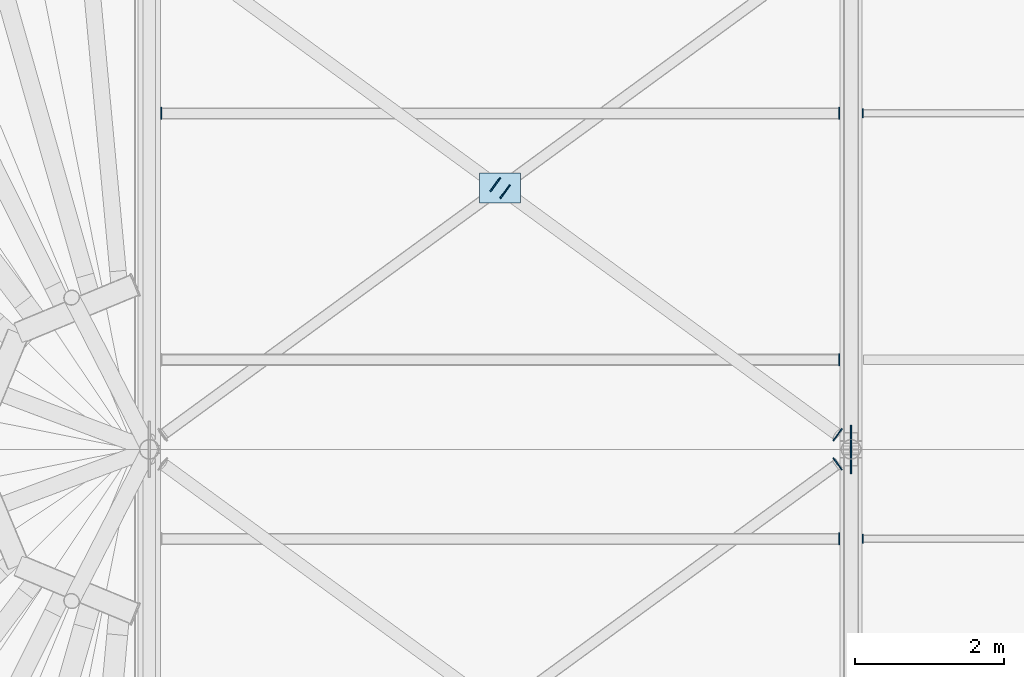
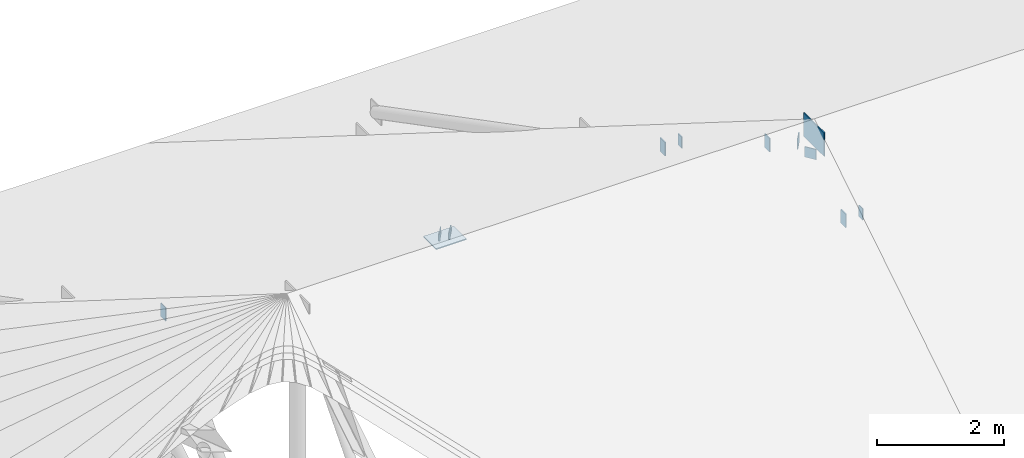
# One storey, part 36 of 66: 12 plates.
"""IFC4 building model written with IfcOpenShell, lengths in metres."""

from ifc_helpers import new_model, si_unit, direction, frame, origin, origin_2d, place, context, subcontext, project, spatial, rectangle, extrude, material, layer, layer_set, type_object, element, save


model = new_model("IFC4")

# Units and contexts
model_context = context("Model", 3, precision=1e-05, world=origin(), true_north=direction((0.0, 1.0)))
body_context = subcontext(model_context, "Body", "Model", "MODEL_VIEW")
ifc_project = project(units=[si_unit("LENGTHUNIT", "METRE"), si_unit("AREAUNIT", "SQUARE_METRE"), si_unit("VOLUMEUNIT", "CUBIC_METRE"), si_unit("PLANEANGLEUNIT", "RADIAN"), si_unit("MASSUNIT", "GRAM", prefix="KILO")], contexts=[model_context])

# Site, building, storey
site_placement = place(None, origin())
site = spatial("IfcSite", under=ifc_project, at=site_placement, CompositionType="ELEMENT")
building_placement = place(site_placement, origin())
building = spatial("IfcBuilding", under=site, at=building_placement, Name="Yeouljin Market Hall", CompositionType="ELEMENT")
storey_placement = place(building_placement, frame((0.0, 0.0, 23.39990234375)))
storey = spatial("IfcBuildingStorey", under=building, at=storey_placement, Name="RF", CompositionType="ELEMENT", Elevation=23.39990234375)

# Plates
ifc_material_1 = material(Name="Steel SM355", Category="steel")
ifc_layer_1 = layer(ifc_material_1, 0.01611328125)
ifc_layer_set_1 = layer_set([ifc_layer_1], Name="Steel SM355")
plate_type_1 = type_object("IfcPlateType", Name="CapPlate_200x200x16", PredefinedType="SHEET", material=ifc_layer_set_1)
for number, where, z_axis, x_axis, name in (
    (1, (44.820068359375, 56.804443359375, 0.623046875), (0.0, 0.0, 1.0), (-0.590183063249, 0.807269441918, 0.0), "Wind brace end-cap plate 0074"),
    (2, (44.820068359375, 57.195556640625, 0.623046875), (0.0, 0.0, 1.0), (0.590183063249, 0.807269441918, 0.0), "Wind brace end-cap plate 0084"),
):
    element("IfcPlate", number, at=place(storey_placement, frame(where, z_axis=z_axis, x_axis=x_axis)), inside=storey, type_object=plate_type_1, Name=name, PredefinedType="SHEET", context=body_context, shape_type="SweptSolid", body=[
        extrude(rectangle(XDim=0.199951171875, YDim=0.01611328125, at=origin_2d()), origin(), (0.0, 0.0, 1.0), 0.199951171875),
    ])
ifc_material_2 = material(Name="Steel SM355", Category="steel")
ifc_layer_2 = layer(ifc_material_2, 0.01611328125)
ifc_layer_set_2 = layer_set([ifc_layer_2], Name="Steel SM355")
plate_type_2 = type_object("IfcPlateType", Name="CapPlate_220x120x16", PredefinedType="SHEET", material=ifc_layer_set_2)
for number, where, z_axis, x_axis, name in (
    (3, (40.234619140625, 60.5478515625, -1.554931640625), (0.0, 0.0, 1.0), (0.590183063249, 0.807269441918, 0.0), "Wind brace end-cap plate 0082"),
    (4, (40.365478515625, 60.4521484375, -1.508056640625), (0.0, 0.0, 1.0), (0.590183063249, 0.807269441918, 0.0), "Wind brace end-cap plate 0083"),
):
    element("IfcPlate", number, at=place(storey_placement, frame(where, z_axis=z_axis, x_axis=x_axis)), inside=storey, type_object=plate_type_2, Name=name, PredefinedType="SHEET", context=body_context, shape_type="SweptSolid", body=[
        extrude(rectangle(XDim=0.219970703125, YDim=0.01611328125, at=origin_2d()), origin(), (0.0, 0.0, 1.0), 0.1201171875),
    ])
for number, where, z_axis, x_axis, name in (
    (5, (45.157958984375, 55.800048828125, -0.0439453125), (0.0, 0.0, 1.0), (0.0, 1.0, 0.0), "Purlin end-cap plate 0089"),
    (6, (45.157958984375, 61.5, -2.11865234375), (0.0, 0.0, 1.0), (0.0, 1.0, 0.0), "Purlin end-cap plate 0091"),
):
    element("IfcPlate", number, at=place(storey_placement, frame(where, z_axis=z_axis, x_axis=x_axis)), inside=storey, type_object=plate_type_2, Name=name, PredefinedType="SHEET", context=body_context, shape_type="SweptSolid", body=[
        extrude(rectangle(XDim=0.1201171875, YDim=0.01611328125, at=origin_2d()), origin(), (0.0, 0.0, 1.0), 0.219970703125),
    ])
ifc_material_3 = material(Name="Steel SM355", Category="steel")
ifc_layer_3 = layer(ifc_material_3, 0.01611328125)
ifc_layer_set_3 = layer_set([ifc_layer_3], Name="Steel SM355")
plate_type_3 = type_object("IfcPlateType", Name="CapPlate_260x160x16", PredefinedType="SHEET", material=ifc_layer_set_3)
for number, where, z_axis, x_axis, name in (
    (7, (44.842041015625, 55.800048828125, -0.06396484375), (0.0, 0.0, 1.0), (0.0, 1.0, 0.0), "Purlin end-cap plate 0060"),
    (8, (44.842041015625, 58.199951171875, -0.06396484375), (0.0, 0.0, 1.0), (0.0, 1.0, 0.0), "Purlin end-cap plate 0062"),
    (9, (35.758056640625, 61.5, -2.138671875), (0.0, 0.0, 1.0), (0.0, 1.0, 0.0), "Purlin end-cap plate 0063"),
    (10, (44.842041015625, 61.5, -2.138671875), (0.0, 0.0, 1.0), (0.0, 1.0, 0.0), "Purlin end-cap plate 0064"),
):
    element("IfcPlate", number, at=place(storey_placement, frame(where, z_axis=z_axis, x_axis=x_axis)), inside=storey, type_object=plate_type_3, Name=name, PredefinedType="SHEET", context=body_context, shape_type="SweptSolid", body=[
        extrude(rectangle(XDim=0.159912109375, YDim=0.01611328125, at=origin_2d()), origin(), (0.0, 0.0, 1.0), 0.260009765625),
    ])
ifc_material_4 = material(Name="Steel SM355", Category="steel")
ifc_layer_4 = layer(ifc_material_4, 0.02001953125)
ifc_layer_set_4 = layer_set([ifc_layer_4], Name="Steel SM355")
plate_type_4 = type_object("IfcPlateType", Name="GussetPlate_550x400x20", PredefinedType="USERDEFINED", material=ifc_layer_set_4)
plate_1_placement = place(storey_placement, frame((40.300048828125, 60.5, -1.579833984375), z_axis=(0.0, 0.0, 1.0), x_axis=(1.0, 0.0, 0.0)))
element("IfcPlate", 11, at=plate_1_placement, inside=storey, type_object=plate_type_4, Name="X-brace crossing node gusset plate 002", ObjectType="GUSSET PLATE", PredefinedType="USERDEFINED", context=body_context, shape_type="SweptSolid", body=[
    extrude(rectangle(XDim=0.550048828125, YDim=0.39990234375, at=origin_2d()), origin(), (0.0, 0.0, 1.0), 0.02001953125),
])
ifc_material_5 = material(Name="Steel SM355", Category="steel")
ifc_layer_5 = layer(ifc_material_5, 0.02197265625)
ifc_layer_set_5 = layer_set([ifc_layer_5], Name="Steel SM355")
plate_type_5 = type_object("IfcPlateType", Name="GussetPlate_650x450x22", PredefinedType="USERDEFINED", material=ifc_layer_set_5)
plate_2_placement = place(storey_placement, frame((45.0, 57.0, 0.67529296875), z_axis=(0.0, 0.0, 1.0), x_axis=(0.0, 1.0, 0.0)))
element("IfcPlate", 12, at=plate_2_placement, inside=storey, type_object=plate_type_5, Name="Truss node gusset plate 008", ObjectType="GUSSET PLATE", PredefinedType="USERDEFINED", context=body_context, shape_type="SweptSolid", body=[
    extrude(rectangle(XDim=0.64990234375, YDim=0.02197265625, at=origin_2d()), origin(), (0.0, 0.0, 1.0), 0.449951171875),
])

save(model, "model.ifc")
